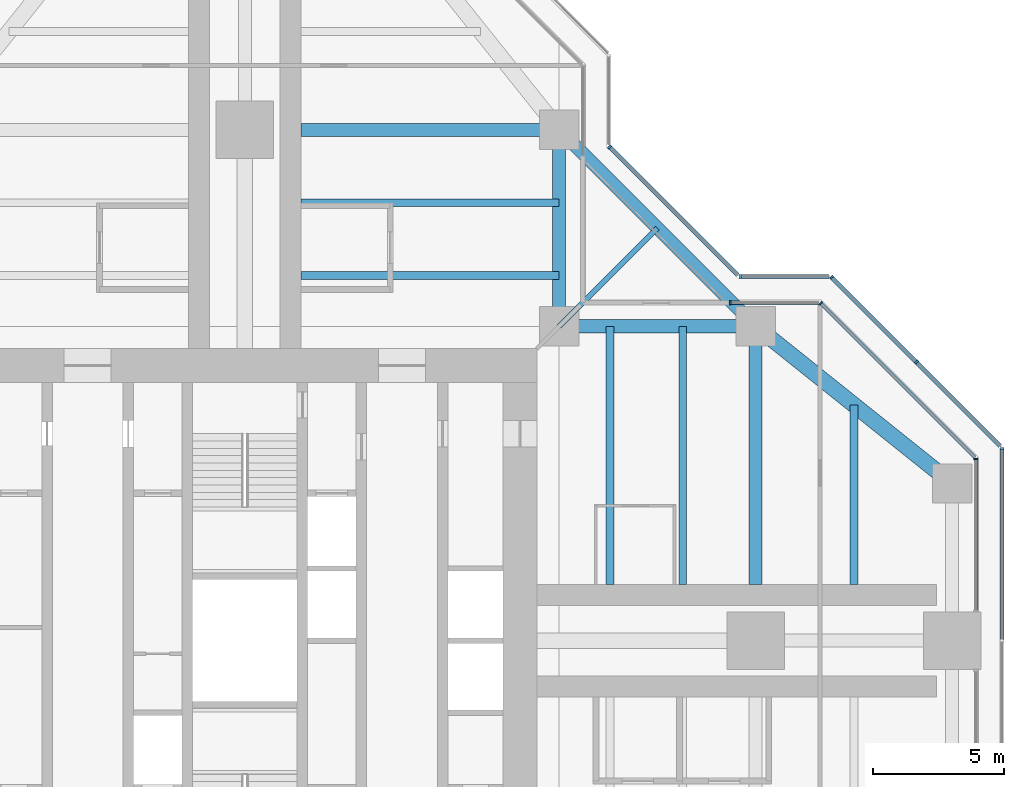
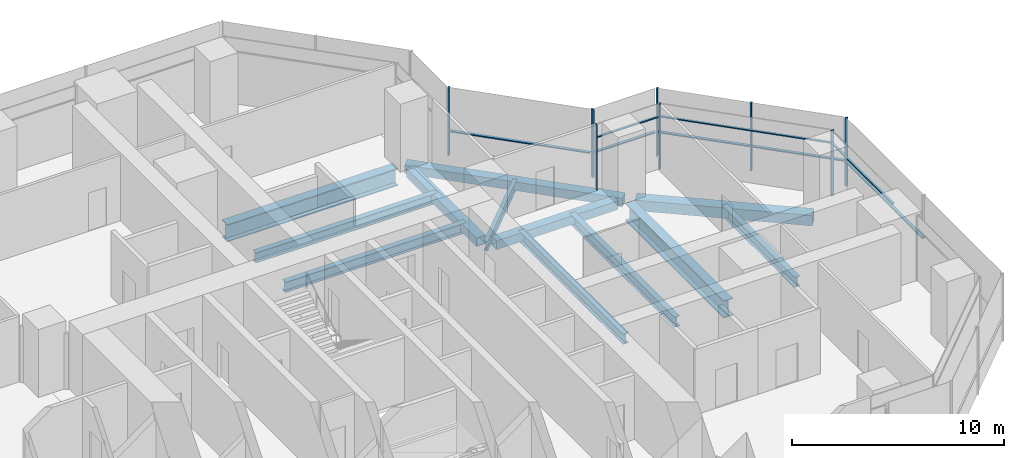
# One storey, part 8 of 17: 16 members, 12 beams, 7 elements without a shape of their own.
"""IFC4 building model written with IfcOpenShell, lengths in metres."""

from ifc_helpers import new_model, si_unit, direction, frame, origin, origin_2d, place, context, subcontext, project, spatial, rectangle, hollow_rectangle, i_section, extrude, material, material_profile, profile_set, type_object, element, aggregate, save


model = new_model("IFC4")

# Units and contexts
model_context = context("Model", 3, precision=1e-05, world=origin(), true_north=direction((0.0, 1.0)))
body_context = subcontext(model_context, "Body", "Model", "MODEL_VIEW")
ifc_project = project(units=[si_unit("LENGTHUNIT", "METRE"), si_unit("AREAUNIT", "SQUARE_METRE"), si_unit("VOLUMEUNIT", "CUBIC_METRE"), si_unit("PLANEANGLEUNIT", "RADIAN"), si_unit("MASSUNIT", "GRAM", prefix="KILO")], contexts=[model_context])

# Site, building, storey
site_placement = place(None, origin())
site = spatial("IfcSite", under=ifc_project, at=site_placement, CompositionType="ELEMENT")
building_placement = place(site_placement, origin())
building = spatial("IfcBuilding", under=site, at=building_placement, Name="Mizan Broadcast Tower", CompositionType="ELEMENT")
storey_placement = place(building_placement, frame((0.0, 0.0, 236.10009765625)))
storey = spatial("IfcBuildingStorey", under=building, at=storey_placement, Name="L55", CompositionType="ELEMENT", Elevation=236.10009765625)

# Beams
ifc_material_1 = material(Name="Steel S355", Category="steel")
ifc_material_profile_1 = material_profile(ifc_material_1, hollow_rectangle(XDim=0.5, YDim=0.5, WallThickness=0.030029296875, at=origin_2d()), Name="BOX 500x500x30")
ifc_profile_set_1 = profile_set([ifc_material_profile_1], Name="Steel S355")
beam_type_1 = type_object("IfcBeamType", Name="EDGE BEAM BOX 500x500x30", PredefinedType="SPANDREL", material=ifc_profile_set_1)
for number, where, z_axis, x_axis, name in (
    (1, (12.449951171875, 12.0, -0.380126953125), (1.0, 0.0, 0.0), (0.0, 1.0, 0.0), "Edge beam BOX 500x500x30 L55 east arm"),
    (2, (12.0, 12.449951171875, -0.380126953125), (0.0, 1.0, 0.0), (-1.0, 0.0, 0.0), "Edge beam BOX 500x500x30 L55 north arm"),
):
    element("IfcBeam", number, at=place(storey_placement, frame(where, z_axis=z_axis, x_axis=x_axis)), inside=storey, type_object=beam_type_1, Name=name, PredefinedType="SPANDREL", context=body_context, shape_type="SweptSolid", body=[
        extrude(hollow_rectangle(XDim=0.5, YDim=0.5, WallThickness=0.030029296875, at=origin_2d()), origin(), (0.0, 0.0, 1.0), 6.60009765625),
    ])
beam_1_placement = place(storey_placement, frame((19.5, 12.0, -0.380126953125), z_axis=(-0.707106781187, 0.707106781187, 0.0), x_axis=(-0.707106781187, -0.707106781187, 0.0)))
element("IfcBeam", 3, at=beam_1_placement, inside=storey, type_object=beam_type_1, Name="Winter garden edge beam L55 E", PredefinedType="SPANDREL", context=body_context, shape_type="SweptSolid", body=[
    extrude(hollow_rectangle(XDim=0.5, YDim=0.5, WallThickness=0.030029296875, at=origin_2d()), origin(), (0.0, 0.0, 1.0), 10.606689453125),
])
ifc_material_2 = material(Name="Steel S355", Category="steel")
ifc_material_profile_2 = material_profile(ifc_material_2, hollow_rectangle(XDim=0.60009765625, YDim=0.60009765625, WallThickness=0.030029296875, at=origin_2d()), Name="BOX 600x600x30")
ifc_profile_set_2 = profile_set([ifc_material_profile_2], Name="Steel S355")
beam_type_2 = type_object("IfcBeamType", Name="EDGE BEAM BOX 600x600x30", PredefinedType="SPANDREL", material=ifc_profile_set_2)
beam_2_placement = place(storey_placement, frame((19.949951171875, 11.639892578125, -0.43017578125), z_axis=(0.780885717636, -0.624673911726, 0.0), x_axis=(0.624673911726, 0.780885717636, 0.0)))
element("IfcBeam", 4, at=beam_2_placement, inside=storey, type_object=beam_type_2, Name="Edge beam BOX 600x600x30 L55 east arm", PredefinedType="SPANDREL", context=body_context, shape_type="SweptSolid", body=[
    extrude(hollow_rectangle(XDim=0.60009765625, YDim=0.60009765625, WallThickness=0.030029296875, at=origin_2d()), origin(), (0.0, 0.0, 1.0), 8.4521484375),
])
ifc_material_3 = material(Name="Steel S460", Category="steel")
ifc_material_profile_3 = material_profile(ifc_material_3, i_section(OverallWidth=0.5, OverallDepth=1.0, WebThickness=0.02490234375, FlangeThickness=0.050048828125, at=origin_2d()), Name="WPG 1000x500")
ifc_profile_set_3 = profile_set([ifc_material_profile_3], Name="Steel S460")
beam_type_3 = type_object("IfcBeamType", Name="GIRDER WPG 1000x500", PredefinedType="BEAM", material=ifc_profile_set_3)
for number, where, z_axis, x_axis, name in (
    (5, (19.5, 11.408935546875, -0.630126953125), (0.0, -1.0, 0.0), (1.0, 0.0, 0.0), "Girder WPG 1000x500 L55 east arm"),
    (6, (11.408935546875, 19.5, -0.630126953125), (-1.0, 0.0, 0.0), (0.0, -1.0, 0.0), "Girder WPG 1000x500 L55 north arm"),
):
    element("IfcBeam", number, at=place(storey_placement, frame(where, z_axis=z_axis, x_axis=x_axis)), inside=storey, type_object=beam_type_3, Name=name, PredefinedType="BEAM", context=body_context, shape_type="SweptSolid", body=[
        extrude(i_section(OverallWidth=0.5, OverallDepth=1.0, WebThickness=0.02490234375, FlangeThickness=0.050048828125, at=origin_2d()), origin(), (0.0, 0.0, 1.0), 9.259033203125),
    ])

# Curtain wall, member
ifc_material_4 = material(Name="Aluminium framed glazing", Category="aluminium")
curtain_wall_type_1 = type_object("IfcCurtainWallType", Name="INNER SKIN HIGH ZONE", PredefinedType="USERDEFINED", material=ifc_material_4)
curtain_wall_1_placement = place(storey_placement, origin())
curtain_wall_1 = element("IfcCurtainWall", 7, at=curtain_wall_1_placement, inside=storey, type_object=curtain_wall_type_1, Name="Inner skin high zone L55 E end", ObjectType="INNER SKIN HIGH ZONE", PredefinedType="USERDEFINED")
ifc_material_5 = material(Name="Aluminium, pale anodised", Category="aluminium")
ifc_material_profile_4 = material_profile(ifc_material_5, rectangle(XDim=0.159912109375, YDim=0.06005859375, at=origin_2d()), Name="MULLION 160x60")
ifc_profile_set_4 = profile_set([ifc_material_profile_4], Name="Aluminium, pale anodised")
member_type_1 = type_object("IfcMemberType", Name="INNER SKIN MULLION 60x160", PredefinedType="MULLION", material=ifc_profile_set_4)
member_1_placement = place(storey_placement, frame((27.89990234375, 6.928466796875, 0.0), z_axis=(0.0, 0.0, 1.0), x_axis=(-1.0, 0.0, 0.0)))
member_1 = element("IfcMember", 8, at=member_1_placement, type_object=member_type_1, Name="Inner skin high zone L55 E end mullion 2", PredefinedType="MULLION", context=body_context, shape_type="SweptSolid", body=[
    extrude(rectangle(XDim=0.159912109375, YDim=0.06005859375, at=origin_2d()), origin(), (0.0, 0.0, 1.0), 3.77001953125),
])

curtain_wall_2_placement = place(storey_placement, origin())
curtain_wall_2 = element("IfcCurtainWall", 9, at=curtain_wall_2_placement, inside=storey, type_object=curtain_wall_type_1, Name="Inner skin high zone L55 E chamfer", ObjectType="INNER SKIN HIGH ZONE", PredefinedType="USERDEFINED")
member_2_placement = place(storey_placement, frame((21.979736328125, 12.87890625, 0.0), z_axis=(0.0, 0.0, 1.0), x_axis=(-0.707106781187, -0.707106781187, 0.0)))
member_2 = element("IfcMember", 10, at=member_2_placement, type_object=member_type_1, Name="Inner skin high zone L55 E chamfer mullion 2", PredefinedType="MULLION", context=body_context, shape_type="SweptSolid", body=[
    extrude(rectangle(XDim=0.159912109375, YDim=0.06005859375, at=origin_2d()), origin(), (0.0, 0.0, 1.0), 3.77001953125),
])

curtain_wall_3_placement = place(storey_placement, origin())
curtain_wall_3 = element("IfcCurtainWall", 11, at=curtain_wall_3_placement, inside=storey, type_object=curtain_wall_type_1, Name="Inner skin high zone L55 E side", ObjectType="INNER SKIN HIGH ZONE", PredefinedType="USERDEFINED")
member_3_placement = place(storey_placement, frame((18.530029296875, 12.89990234375, 0.0), z_axis=(0.0, 0.0, 1.0), x_axis=(0.0, -1.0, 0.0)))
member_3 = element("IfcMember", 12, at=member_3_placement, type_object=member_type_1, Name="Inner skin high zone L55 E side mullion 2", PredefinedType="MULLION", context=body_context, shape_type="SweptSolid", body=[
    extrude(rectangle(XDim=0.159912109375, YDim=0.06005859375, at=origin_2d()), origin(), (0.0, 0.0, 1.0), 3.77001953125),
])

# Member
ifc_material_6 = material(Name="Aluminium, pale anodised", Category="aluminium")
ifc_material_profile_5 = material_profile(ifc_material_6, rectangle(XDim=0.1201171875, YDim=0.06005859375, at=origin_2d()), Name="TRANSOM 120x60")
ifc_profile_set_5 = profile_set([ifc_material_profile_5], Name="Aluminium, pale anodised")
member_type_2 = type_object("IfcMemberType", Name="INNER SKIN TRANSOM 60x120", PredefinedType="USERDEFINED", material=ifc_profile_set_5)
member_4_placement = place(storey_placement, frame((27.89990234375, 1.159912109375, 3.02978515625), z_axis=(0.0, 1.0, 0.0), x_axis=(-1.0, 0.0, 0.0)))
member_4 = element("IfcMember", 13, at=member_4_placement, type_object=member_type_2, Name="Inner skin high zone L55 E end transom 1.1", ObjectType="TRANSOM", PredefinedType="USERDEFINED", context=body_context, shape_type="SweptSolid", body=[
    extrude(rectangle(XDim=0.1201171875, YDim=0.06005859375, at=origin_2d()), origin(), (0.0, 0.0, 1.0), 5.73876953125),
])

aggregate(curtain_wall_1, [member_1, member_4])

member_5_placement = place(storey_placement, frame((27.857666015625, 7.0009765625, 3.02978515625), z_axis=(-0.707106781187, 0.707106781187, 0.0), x_axis=(-0.707106781187, -0.707106781187, 0.0)))
member_5 = element("IfcMember", 14, at=member_5_placement, type_object=member_type_2, Name="Inner skin high zone L55 E chamfer transom 1.1", ObjectType="TRANSOM", PredefinedType="USERDEFINED", context=body_context, shape_type="SweptSolid", body=[
    extrude(rectangle(XDim=0.1201171875, YDim=0.06005859375, at=origin_2d()), origin(), (0.0, 0.0, 1.0), 8.28271484375),
])

aggregate(curtain_wall_2, [member_2, member_5])

member_6_placement = place(storey_placement, frame((21.898681640625, 12.89990234375, 3.02978515625), z_axis=(-1.0, 0.0, 0.0), x_axis=(0.0, -1.0, 0.0)))
member_6 = element("IfcMember", 15, at=member_6_placement, type_object=member_type_2, Name="Inner skin high zone L55 E side transom 1.1", ObjectType="TRANSOM", PredefinedType="USERDEFINED", context=body_context, shape_type="SweptSolid", body=[
    extrude(rectangle(XDim=0.1201171875, YDim=0.06005859375, at=origin_2d()), origin(), (0.0, 0.0, 1.0), 3.338623046875),
])

aggregate(curtain_wall_3, [member_3, member_6])

# Curtain wall, member
ifc_material_7 = material(Name="Aluminium framed glazing", Category="aluminium")
curtain_wall_type_2 = type_object("IfcCurtainWallType", Name="OUTER SKIN", PredefinedType="USERDEFINED", material=ifc_material_7)
curtain_wall_4_placement = place(storey_placement, origin())
curtain_wall_4 = element("IfcCurtainWall", 16, at=curtain_wall_4_placement, inside=storey, type_object=curtain_wall_type_2, Name="Outer skin L55 E end", ObjectType="OUTER SKIN", PredefinedType="USERDEFINED")
ifc_material_8 = material(Name="Aluminium, pale anodised", Category="aluminium")
ifc_material_profile_6 = material_profile(ifc_material_8, rectangle(XDim=0.159912109375, YDim=0.080078125, at=origin_2d()), Name="MULLION 160x80")
ifc_profile_set_6 = profile_set([ifc_material_profile_6], Name="Aluminium, pale anodised")
member_type_3 = type_object("IfcMemberType", Name="OUTER SKIN MULLION 80x160", PredefinedType="MULLION", material=ifc_profile_set_6)
member_7_placement = place(storey_placement, frame((28.89990234375, 7.332763671875, 0.0), z_axis=(0.0, 0.0, 1.0), x_axis=(-1.0, 0.0, 0.0)))
member_7 = element("IfcMember", 17, at=member_7_placement, type_object=member_type_3, Name="Outer skin L55 E end mullion 3", PredefinedType="MULLION", context=body_context, shape_type="SweptSolid", body=[
    extrude(rectangle(XDim=0.159912109375, YDim=0.080078125, at=origin_2d()), origin(), (0.0, 0.0, 1.0), 3.89990234375),
])

# Curtain wall, members
curtain_wall_5_placement = place(storey_placement, origin())
curtain_wall_5 = element("IfcCurtainWall", 18, at=curtain_wall_5_placement, inside=storey, type_object=curtain_wall_type_2, Name="Outer skin L55 E chamfer", ObjectType="OUTER SKIN", PredefinedType="USERDEFINED")
member_8_placement = place(storey_placement, frame((25.636474609375, 10.636474609375, 0.0), z_axis=(0.0, 0.0, 1.0), x_axis=(-0.707106781187, -0.707106781187, 0.0)))
member_8 = element("IfcMember", 19, at=member_8_placement, type_object=member_type_3, Name="Outer skin L55 E chamfer mullion 2", PredefinedType="MULLION", context=body_context, shape_type="SweptSolid", body=[
    extrude(rectangle(XDim=0.159912109375, YDim=0.080078125, at=origin_2d()), origin(), (0.0, 0.0, 1.0), 3.89990234375),
])
member_9_placement = place(storey_placement, frame((22.401123046875, 13.871826171875, 0.0), z_axis=(0.0, 0.0, 1.0), x_axis=(-0.707106781187, -0.707106781187, 0.0)))
member_9 = element("IfcMember", 20, at=member_9_placement, type_object=member_type_3, Name="Outer skin L55 E chamfer mullion 3", PredefinedType="MULLION", context=body_context, shape_type="SweptSolid", body=[
    extrude(rectangle(XDim=0.159912109375, YDim=0.080078125, at=origin_2d()), origin(), (0.0, 0.0, 1.0), 3.89990234375),
])

# Curtain wall, member
curtain_wall_6_placement = place(storey_placement, origin())
curtain_wall_6 = element("IfcCurtainWall", 21, at=curtain_wall_6_placement, inside=storey, type_object=curtain_wall_type_2, Name="Outer skin L55 E side", ObjectType="OUTER SKIN", PredefinedType="USERDEFINED")
member_10_placement = place(storey_placement, frame((18.912841796875, 13.89990234375, 0.0), z_axis=(0.0, 0.0, 1.0), x_axis=(0.0, -1.0, 0.0)))
member_10 = element("IfcMember", 22, at=member_10_placement, type_object=member_type_3, Name="Outer skin L55 E side mullion 2", PredefinedType="MULLION", context=body_context, shape_type="SweptSolid", body=[
    extrude(rectangle(XDim=0.159912109375, YDim=0.080078125, at=origin_2d()), origin(), (0.0, 0.0, 1.0), 3.89990234375),
])

curtain_wall_7_placement = place(storey_placement, origin())
curtain_wall_7 = element("IfcCurtainWall", 23, at=curtain_wall_7_placement, inside=storey, type_object=curtain_wall_type_2, Name="Outer skin L55 E chamfer", ObjectType="OUTER SKIN", PredefinedType="USERDEFINED")
member_11_placement = place(storey_placement, frame((13.92822265625, 18.844482421875, 0.0), z_axis=(0.0, 0.0, 1.0), x_axis=(-0.707106781187, -0.707106781187, 0.0)))
member_11 = element("IfcMember", 24, at=member_11_placement, type_object=member_type_3, Name="Outer skin L55 E chamfer mullion 2", PredefinedType="MULLION", context=body_context, shape_type="SweptSolid", body=[
    extrude(rectangle(XDim=0.159912109375, YDim=0.080078125, at=origin_2d()), origin(), (0.0, 0.0, 1.0), 3.89990234375),
])

# Member
ifc_material_9 = material(Name="Aluminium, pale anodised", Category="aluminium")
ifc_material_profile_7 = material_profile(ifc_material_9, rectangle(XDim=0.159912109375, YDim=0.06005859375, at=origin_2d()), Name="TRANSOM 160x60")
ifc_profile_set_7 = profile_set([ifc_material_profile_7], Name="Aluminium, pale anodised")
member_type_4 = type_object("IfcMemberType", Name="OUTER SKIN TRANSOM 60x160", PredefinedType="USERDEFINED", material=ifc_profile_set_7)
member_12_placement = place(storey_placement, frame((28.89990234375, 0.0400390625, 1.39990234375), z_axis=(0.0, 1.0, 0.0), x_axis=(-1.0, 0.0, 0.0)))
member_12 = element("IfcMember", 25, at=member_12_placement, type_object=member_type_4, Name="Outer skin L55 E end transom 2.1", ObjectType="TRANSOM", PredefinedType="USERDEFINED", context=body_context, shape_type="SweptSolid", body=[
    extrude(rectangle(XDim=0.159912109375, YDim=0.06005859375, at=origin_2d()), origin(), (0.0, 0.0, 1.0), 7.252685546875),
])

aggregate(curtain_wall_4, [member_7, member_12])

member_13_placement = place(storey_placement, frame((28.843505859375, 7.429443359375, 1.39990234375), z_axis=(-0.707106781187, 0.707106781187, 0.0), x_axis=(-0.707106781187, -0.707106781187, 0.0)))
member_13 = element("IfcMember", 26, at=member_13_placement, type_object=member_type_4, Name="Outer skin L55 E chamfer transom 1.1", ObjectType="TRANSOM", PredefinedType="USERDEFINED", context=body_context, shape_type="SweptSolid", body=[
    extrude(rectangle(XDim=0.159912109375, YDim=0.06005859375, at=origin_2d()), origin(), (0.0, 0.0, 1.0), 4.495361328125),
])

member_14_placement = place(storey_placement, frame((25.608154296875, 10.664794921875, 1.39990234375), z_axis=(-0.707106781187, 0.707106781187, 0.0), x_axis=(-0.707106781187, -0.707106781187, 0.0)))
member_14 = element("IfcMember", 27, at=member_14_placement, type_object=member_type_4, Name="Outer skin L55 E chamfer transom 2.1", ObjectType="TRANSOM", PredefinedType="USERDEFINED", context=body_context, shape_type="SweptSolid", body=[
    extrude(rectangle(XDim=0.159912109375, YDim=0.06005859375, at=origin_2d()), origin(), (0.0, 0.0, 1.0), 4.495361328125),
])

aggregate(curtain_wall_5, [member_8, member_9, member_13, member_14])

member_15_placement = place(storey_placement, frame((22.292724609375, 13.89990234375, 1.39990234375), z_axis=(-1.0, 0.0, 0.0), x_axis=(0.0, -1.0, 0.0)))
member_15 = element("IfcMember", 28, at=member_15_placement, type_object=member_type_4, Name="Outer skin L55 E side transom 1.1", ObjectType="TRANSOM", PredefinedType="USERDEFINED", context=body_context, shape_type="SweptSolid", body=[
    extrude(rectangle(XDim=0.159912109375, YDim=0.06005859375, at=origin_2d()), origin(), (0.0, 0.0, 1.0), 3.33984375),
])

aggregate(curtain_wall_6, [member_10, member_15])

member_16_placement = place(storey_placement, frame((18.816162109375, 13.95654296875, 1.39990234375), z_axis=(-0.707106781187, 0.707106781187, 0.0), x_axis=(-0.707106781187, -0.707106781187, 0.0)))
member_16 = element("IfcMember", 29, at=member_16_placement, type_object=member_type_4, Name="Outer skin L55 E chamfer transom 1.1", ObjectType="TRANSOM", PredefinedType="USERDEFINED", context=body_context, shape_type="SweptSolid", body=[
    extrude(rectangle(XDim=0.159912109375, YDim=0.06005859375, at=origin_2d()), origin(), (0.0, 0.0, 1.0), 6.87255859375),
])

aggregate(curtain_wall_7, [member_11, member_16])

# Beams
ifc_material_10 = material(Name="Steel S355", Category="steel")
ifc_material_profile_8 = material_profile(ifc_material_10, i_section(OverallWidth=0.300048828125, OverallDepth=0.590087890625, WebThickness=0.012939453125, FlangeThickness=0.02490234375, FilletRadius=0.027099609375, at=origin_2d()), Name="HEA 600")
ifc_profile_set_8 = profile_set([ifc_material_profile_8], Name="Steel S355")
beam_type_4 = type_object("IfcBeamType", Name="SECONDARY BEAM HEA 600", PredefinedType="JOIST", material=ifc_profile_set_8)
for number, where, z_axis, x_axis, name in (
    (30, (13.933349609375, 12.0, -0.425048828125), (0.0, -1.0, 0.0), (1.0, 0.0, 0.0), "Secondary beam HEA 600 L55 east arm"),
    (31, (16.716552734375, 12.0, -0.425048828125), (0.0, -1.0, 0.0), (1.0, 0.0, 0.0), "Secondary beam HEA 600 L55 east arm"),
):
    element("IfcBeam", number, at=place(storey_placement, frame(where, z_axis=z_axis, x_axis=x_axis)), inside=storey, type_object=beam_type_4, Name=name, PredefinedType="JOIST", context=body_context, shape_type="SweptSolid", body=[
        extrude(i_section(OverallWidth=0.300048828125, OverallDepth=0.590087890625, WebThickness=0.012939453125, FlangeThickness=0.02490234375, FilletRadius=0.027099609375, at=origin_2d()), origin(), (0.0, 0.0, 1.0), 9.85009765625),
    ])
beam_3_placement = place(storey_placement, frame((23.25, 9.0, -0.425048828125), z_axis=(0.0, -1.0, 0.0), x_axis=(1.0, 0.0, 0.0)))
element("IfcBeam", 32, at=beam_3_placement, inside=storey, type_object=beam_type_4, Name="Secondary beam HEA 600 L55 east arm", PredefinedType="JOIST", context=body_context, shape_type="SweptSolid", body=[
    extrude(i_section(OverallWidth=0.300048828125, OverallDepth=0.590087890625, WebThickness=0.012939453125, FlangeThickness=0.02490234375, FilletRadius=0.027099609375, at=origin_2d()), origin(), (0.0, 0.0, 1.0), 6.85009765625),
])
for number, where, z_axis, x_axis, name in (
    (33, (12.0, 13.933349609375, -0.425048828125), (-1.0, 0.0, 0.0), (0.0, -1.0, 0.0), "Secondary beam HEA 600 L55 north arm"),
    (34, (12.0, 16.716552734375, -0.425048828125), (-1.0, 0.0, 0.0), (0.0, -1.0, 0.0), "Secondary beam HEA 600 L55 north arm"),
):
    element("IfcBeam", number, at=place(storey_placement, frame(where, z_axis=z_axis, x_axis=x_axis)), inside=storey, type_object=beam_type_4, Name=name, PredefinedType="JOIST", context=body_context, shape_type="SweptSolid", body=[
        extrude(i_section(OverallWidth=0.300048828125, OverallDepth=0.590087890625, WebThickness=0.012939453125, FlangeThickness=0.02490234375, FilletRadius=0.027099609375, at=origin_2d()), origin(), (0.0, 0.0, 1.0), 9.85009765625),
    ])
ifc_material_11 = material(Name="Steel S355", Category="steel")
ifc_material_profile_9 = material_profile(ifc_material_11, i_section(OverallWidth=0.2099609375, OverallDepth=0.550048828125, WebThickness=0.010986328125, FlangeThickness=0.01708984375, FilletRadius=0.02392578125, at=origin_2d()), Name="IPE 550")
ifc_profile_set_9 = profile_set([ifc_material_profile_9], Name="Steel S355")
beam_type_5 = type_object("IfcBeamType", Name="SECONDARY BEAM IPE 550", PredefinedType="JOIST", material=ifc_profile_set_9)
beam_4_placement = place(storey_placement, frame((12.0, 12.0, -0.405029296875), z_axis=(0.707106781187, 0.707106781187, 0.0), x_axis=(-0.707106781187, 0.707106781187, 0.0)))
element("IfcBeam", 35, at=beam_4_placement, inside=storey, type_object=beam_type_5, Name="Winter garden beam L55 E", PredefinedType="JOIST", context=body_context, shape_type="SweptSolid", body=[
    extrude(i_section(OverallWidth=0.2099609375, OverallDepth=0.550048828125, WebThickness=0.010986328125, FlangeThickness=0.01708984375, FilletRadius=0.02392578125, at=origin_2d()), origin(), (0.0, 0.0, 1.0), 5.30322265625),
])

save(model, "model.ifc")
